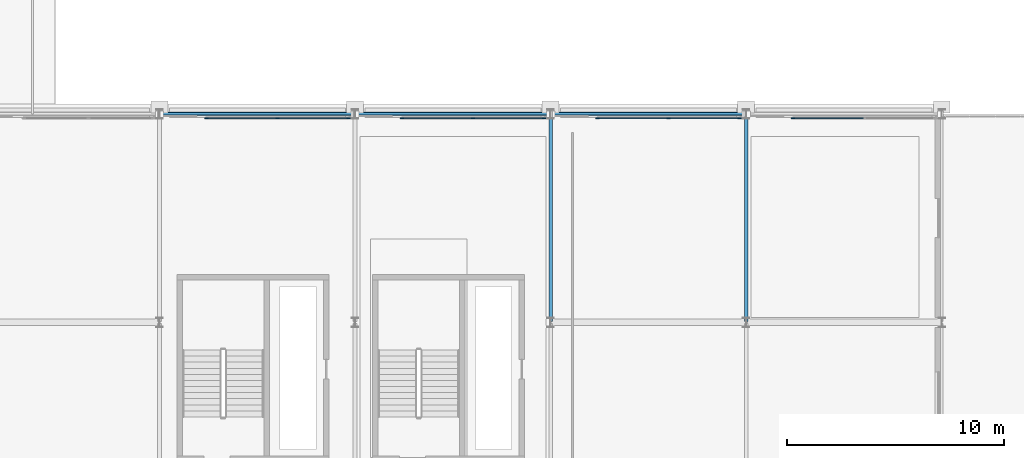
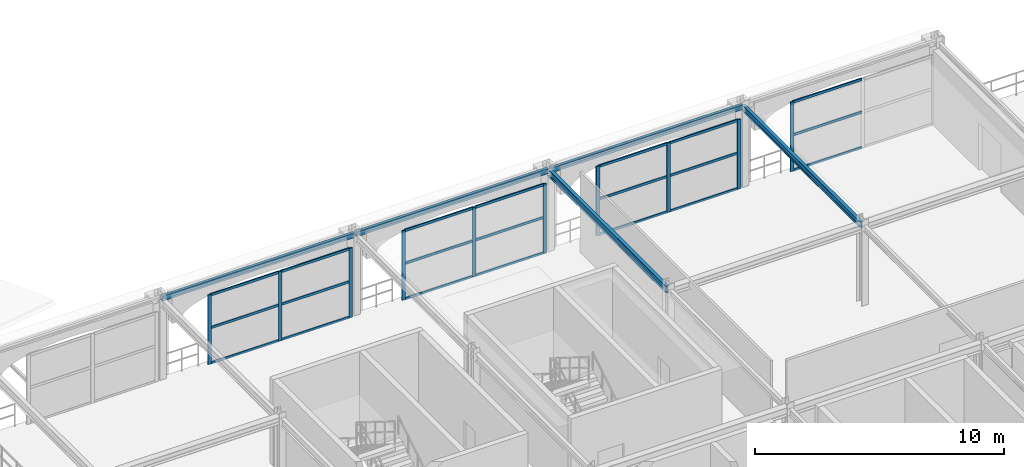
# One storey, part 28 of 81: 31 members, 5 beams, 4 elements without a shape of their own.
"""IFC4 building model written with IfcOpenShell, lengths in metres."""

from ifc_helpers import new_model, si_unit, direction, frame, origin, origin_2d, place, context, subcontext, project, spatial, rectangle, hollow_rectangle, i_section, extrude, material, layer, layer_set, material_profile, profile_set, type_object, element, aggregate, save


model = new_model("IFC4")

# Units and contexts
model_context = context("Model", 3, precision=1e-05, world=origin(), true_north=direction((0.0, 1.0)))
body_context = subcontext(model_context, "Body", "Model", "MODEL_VIEW")
ifc_project = project(units=[si_unit("LENGTHUNIT", "METRE"), si_unit("AREAUNIT", "SQUARE_METRE"), si_unit("VOLUMEUNIT", "CUBIC_METRE"), si_unit("PLANEANGLEUNIT", "RADIAN"), si_unit("MASSUNIT", "GRAM", prefix="KILO")], contexts=[model_context])

# Site, building, storey
site_placement = place(None, origin())
site = spatial("IfcSite", under=ifc_project, at=site_placement, CompositionType="ELEMENT")
building_placement = place(site_placement, origin())
building = spatial("IfcBuilding", under=site, at=building_placement, Name="Myrtia Square Station", CompositionType="ELEMENT")
storey_placement = place(building_placement, frame((0.0, 0.0, 10.800048828125)))
storey = spatial("IfcBuildingStorey", under=building, at=storey_placement, Name="L02", CompositionType="ELEMENT", Elevation=10.800048828125)

# Beams
ifc_material_1 = material(Name="Steel S355", Category="steel")
ifc_material_profile_1 = material_profile(ifc_material_1, i_section(OverallWidth=0.14990234375, OverallDepth=0.300048828125, WebThickness=0.007080078125, FlangeThickness=0.0107421875, FilletRadius=0.014892578125, at=origin_2d()), Name="IPE 300")
ifc_profile_set_1 = profile_set([ifc_material_profile_1], Name="Steel S355")
beam_type_1 = type_object("IfcBeamType", Name="BM-IPE300", PredefinedType="BEAM", material=ifc_profile_set_1)
beam_1_placement = place(storey_placement, frame((153.0, 28.85009765625, 3.784912109375), z_axis=(0.0, 1.0, 0.0), x_axis=(-1.0, 0.0, 0.0)))
element("IfcBeam", 1, at=beam_1_placement, inside=storey, type_object=beam_type_1, Name="Structural girder BMY-L02-0745", PredefinedType="BEAM", context=body_context, shape_type="SweptSolid", body=[
    extrude(i_section(OverallWidth=0.14990234375, OverallDepth=0.300048828125, WebThickness=0.007080078125, FlangeThickness=0.0107421875, FilletRadius=0.014892578125, at=origin_2d()), origin(), (0.0, 0.0, 1.0), 9.5),
])
ifc_material_profile_2 = material_profile(ifc_material_1, i_section(OverallWidth=0.159912109375, OverallDepth=0.330078125, WebThickness=0.007568359375, FlangeThickness=0.011474609375, FilletRadius=0.01806640625, at=origin_2d()), Name="IPE 330")
ifc_profile_set_2 = profile_set([ifc_material_profile_2], Name="Steel S355")
beam_type_2 = type_object("IfcBeamType", Name="BM-IPE330", PredefinedType="BEAM", material=ifc_profile_set_2)
beam_2_placement = place(storey_placement, frame((144.0, 28.85009765625, 3.77001953125), z_axis=(0.0, 1.0, 0.0), x_axis=(-1.0, 0.0, 0.0)))
element("IfcBeam", 2, at=beam_2_placement, inside=storey, type_object=beam_type_2, Name="Structural girder BMY-L02-0741", PredefinedType="BEAM", context=body_context, shape_type="SweptSolid", body=[
    extrude(i_section(OverallWidth=0.159912109375, OverallDepth=0.330078125, WebThickness=0.007568359375, FlangeThickness=0.011474609375, FilletRadius=0.01806640625, at=origin_2d()), origin(), (0.0, 0.0, 1.0), 9.5),
])

# Curtain wall, members
ifc_material_2 = material(Name="Dark bronze anodised aluminium", Category="aluminium")
ifc_layer = layer(ifc_material_2, 0.159912109375, Name="Dark bronze anodised aluminium")
ifc_layer_set = layer_set([ifc_layer], Name="Dark bronze anodised aluminium")
curtain_wall_type = type_object("IfcCurtainWallType", Name="CW-TYPE-28-660x340", PredefinedType="USERDEFINED", material=ifc_layer_set)
curtain_wall_1_placement = place(storey_placement, origin())
curtain_wall_1 = element("IfcCurtainWall", 3, at=curtain_wall_1_placement, inside=storey, type_object=curtain_wall_type, Name="Concourse curtain wall CW-L02-098", ObjectType="CONCOURSE CURTAIN WALL", PredefinedType="USERDEFINED")
ifc_material_profile_3 = material_profile(ifc_material_2, rectangle(XDim=0.06005859375, YDim=0.159912109375, at=origin_2d()), Name="ALU-M 60x160")
ifc_profile_set_3 = profile_set([ifc_material_profile_3], Name="Dark bronze anodised aluminium")
member_type_1 = type_object("IfcMemberType", Name="CWM-60x160", PredefinedType="MULLION", material=ifc_profile_set_3)
member_1_placement = place(storey_placement, frame((128.155029296875, 38.199951171875, 0.0), z_axis=(0.0, 0.0, 1.0), x_axis=(0.0, 1.0, 0.0)))
member_1 = element("IfcMember", 4, at=member_1_placement, type_object=member_type_1, Name="CW-098 mullion 1", PredefinedType="MULLION", context=body_context, shape_type="SweptSolid", body=[
    extrude(rectangle(XDim=0.06005859375, YDim=0.159912109375, at=origin_2d()), origin(), (0.0, 0.0, 1.0), 3.39990234375),
])
member_2_placement = place(storey_placement, frame((131.425048828125, 38.199951171875, 0.0), z_axis=(0.0, 0.0, 1.0), x_axis=(0.0, 1.0, 0.0)))
member_2 = element("IfcMember", 5, at=member_2_placement, type_object=member_type_1, Name="CW-098 mullion 2", PredefinedType="MULLION", context=body_context, shape_type="SweptSolid", body=[
    extrude(rectangle(XDim=0.06005859375, YDim=0.159912109375, at=origin_2d()), origin(), (0.0, 0.0, 1.0), 3.39990234375),
])
member_3_placement = place(storey_placement, frame((134.695068359375, 38.199951171875, 0.0), z_axis=(0.0, 0.0, 1.0), x_axis=(0.0, 1.0, 0.0)))
member_3 = element("IfcMember", 6, at=member_3_placement, type_object=member_type_1, Name="CW-098 mullion 3", PredefinedType="MULLION", context=body_context, shape_type="SweptSolid", body=[
    extrude(rectangle(XDim=0.06005859375, YDim=0.159912109375, at=origin_2d()), origin(), (0.0, 0.0, 1.0), 3.39990234375),
])

curtain_wall_2_placement = place(storey_placement, origin())
curtain_wall_2 = element("IfcCurtainWall", 7, at=curtain_wall_2_placement, inside=storey, type_object=curtain_wall_type, Name="Concourse curtain wall CW-L02-099", ObjectType="CONCOURSE CURTAIN WALL", PredefinedType="USERDEFINED")
member_4_placement = place(storey_placement, frame((137.155029296875, 38.199951171875, 0.0), z_axis=(0.0, 0.0, 1.0), x_axis=(0.0, 1.0, 0.0)))
member_4 = element("IfcMember", 8, at=member_4_placement, type_object=member_type_1, Name="CW-099 mullion 1", PredefinedType="MULLION", context=body_context, shape_type="SweptSolid", body=[
    extrude(rectangle(XDim=0.06005859375, YDim=0.159912109375, at=origin_2d()), origin(), (0.0, 0.0, 1.0), 3.39990234375),
])
member_5_placement = place(storey_placement, frame((140.425048828125, 38.199951171875, 0.0), z_axis=(0.0, 0.0, 1.0), x_axis=(0.0, 1.0, 0.0)))
member_5 = element("IfcMember", 9, at=member_5_placement, type_object=member_type_1, Name="CW-099 mullion 2", PredefinedType="MULLION", context=body_context, shape_type="SweptSolid", body=[
    extrude(rectangle(XDim=0.06005859375, YDim=0.159912109375, at=origin_2d()), origin(), (0.0, 0.0, 1.0), 3.39990234375),
])
member_6_placement = place(storey_placement, frame((143.695068359375, 38.199951171875, 0.0), z_axis=(0.0, 0.0, 1.0), x_axis=(0.0, 1.0, 0.0)))
member_6 = element("IfcMember", 10, at=member_6_placement, type_object=member_type_1, Name="CW-099 mullion 3", PredefinedType="MULLION", context=body_context, shape_type="SweptSolid", body=[
    extrude(rectangle(XDim=0.06005859375, YDim=0.159912109375, at=origin_2d()), origin(), (0.0, 0.0, 1.0), 3.39990234375),
])

curtain_wall_3_placement = place(storey_placement, origin())
curtain_wall_3 = element("IfcCurtainWall", 11, at=curtain_wall_3_placement, inside=storey, type_object=curtain_wall_type, Name="Concourse curtain wall CW-L02-100", ObjectType="CONCOURSE CURTAIN WALL", PredefinedType="USERDEFINED")
member_7_placement = place(storey_placement, frame((146.155029296875, 38.199951171875, 0.0), z_axis=(0.0, 0.0, 1.0), x_axis=(0.0, 1.0, 0.0)))
member_7 = element("IfcMember", 12, at=member_7_placement, type_object=member_type_1, Name="CW-100 mullion 1", PredefinedType="MULLION", context=body_context, shape_type="SweptSolid", body=[
    extrude(rectangle(XDim=0.06005859375, YDim=0.159912109375, at=origin_2d()), origin(), (0.0, 0.0, 1.0), 3.39990234375),
])
member_8_placement = place(storey_placement, frame((149.425048828125, 38.199951171875, 0.0), z_axis=(0.0, 0.0, 1.0), x_axis=(0.0, 1.0, 0.0)))
member_8 = element("IfcMember", 13, at=member_8_placement, type_object=member_type_1, Name="CW-100 mullion 2", PredefinedType="MULLION", context=body_context, shape_type="SweptSolid", body=[
    extrude(rectangle(XDim=0.06005859375, YDim=0.159912109375, at=origin_2d()), origin(), (0.0, 0.0, 1.0), 3.39990234375),
])
member_9_placement = place(storey_placement, frame((152.695068359375, 38.199951171875, 0.0), z_axis=(0.0, 0.0, 1.0), x_axis=(0.0, 1.0, 0.0)))
member_9 = element("IfcMember", 14, at=member_9_placement, type_object=member_type_1, Name="CW-100 mullion 3", PredefinedType="MULLION", context=body_context, shape_type="SweptSolid", body=[
    extrude(rectangle(XDim=0.06005859375, YDim=0.159912109375, at=origin_2d()), origin(), (0.0, 0.0, 1.0), 3.39990234375),
])

# Curtain wall, member
curtain_wall_4_placement = place(storey_placement, origin())
curtain_wall_4 = element("IfcCurtainWall", 15, at=curtain_wall_4_placement, inside=storey, type_object=curtain_wall_type, Name="Concourse curtain wall CW-L02-101", ObjectType="CONCOURSE CURTAIN WALL", PredefinedType="USERDEFINED")
member_10_placement = place(storey_placement, frame((155.155029296875, 38.199951171875, 0.0), z_axis=(0.0, 0.0, 1.0), x_axis=(0.0, 1.0, 0.0)))
member_10 = element("IfcMember", 16, at=member_10_placement, type_object=member_type_1, Name="CW-101 mullion 1", PredefinedType="MULLION", context=body_context, shape_type="SweptSolid", body=[
    extrude(rectangle(XDim=0.06005859375, YDim=0.159912109375, at=origin_2d()), origin(), (0.0, 0.0, 1.0), 3.39990234375),
])

# Member
ifc_material_profile_4 = material_profile(ifc_material_2, rectangle(XDim=0.06005859375, YDim=0.1201171875, at=origin_2d()), Name="ALU-T 60x120")
ifc_profile_set_4 = profile_set([ifc_material_profile_4], Name="Dark bronze anodised aluminium")
member_type_2 = type_object("IfcMemberType", Name="CWT-60x120", PredefinedType="USERDEFINED", material=ifc_profile_set_4)
member_11_placement = place(storey_placement, frame((128.18505859375, 38.199951171875, 0.030029296875), z_axis=(1.0, 0.0, 0.0), x_axis=(0.0, 1.0, 0.0)))
member_11 = element("IfcMember", 17, at=member_11_placement, type_object=member_type_2, Name="CW-098 transom 1.1", ObjectType="TRANSOM", PredefinedType="USERDEFINED", context=body_context, shape_type="SweptSolid", body=[
    extrude(rectangle(XDim=0.06005859375, YDim=0.1201171875, at=origin_2d()), origin(), (0.0, 0.0, 1.0), 3.2099609375),
])

member_12_placement = place(storey_placement, frame((128.18505859375, 38.199951171875, 1.76806640625), z_axis=(1.0, 0.0, 0.0), x_axis=(0.0, 1.0, 0.0)))
member_12 = element("IfcMember", 18, at=member_12_placement, type_object=member_type_2, Name="CW-098 transom 1.2", ObjectType="TRANSOM", PredefinedType="USERDEFINED", context=body_context, shape_type="SweptSolid", body=[
    extrude(rectangle(XDim=0.06005859375, YDim=0.1201171875, at=origin_2d()), origin(), (0.0, 0.0, 1.0), 3.2099609375),
])

member_13_placement = place(storey_placement, frame((128.18505859375, 38.199951171875, 3.369873046875), z_axis=(1.0, 0.0, 0.0), x_axis=(0.0, 1.0, 0.0)))
member_13 = element("IfcMember", 19, at=member_13_placement, type_object=member_type_2, Name="CW-098 transom 1.3", ObjectType="TRANSOM", PredefinedType="USERDEFINED", context=body_context, shape_type="SweptSolid", body=[
    extrude(rectangle(XDim=0.06005859375, YDim=0.1201171875, at=origin_2d()), origin(), (0.0, 0.0, 1.0), 3.2099609375),
])

member_14_placement = place(storey_placement, frame((131.455078125, 38.199951171875, 0.030029296875), z_axis=(1.0, 0.0, 0.0), x_axis=(0.0, 1.0, 0.0)))
member_14 = element("IfcMember", 20, at=member_14_placement, type_object=member_type_2, Name="CW-098 transom 2.1", ObjectType="TRANSOM", PredefinedType="USERDEFINED", context=body_context, shape_type="SweptSolid", body=[
    extrude(rectangle(XDim=0.06005859375, YDim=0.1201171875, at=origin_2d()), origin(), (0.0, 0.0, 1.0), 3.2099609375),
])

member_15_placement = place(storey_placement, frame((131.455078125, 38.199951171875, 1.76806640625), z_axis=(1.0, 0.0, 0.0), x_axis=(0.0, 1.0, 0.0)))
member_15 = element("IfcMember", 21, at=member_15_placement, type_object=member_type_2, Name="CW-098 transom 2.2", ObjectType="TRANSOM", PredefinedType="USERDEFINED", context=body_context, shape_type="SweptSolid", body=[
    extrude(rectangle(XDim=0.06005859375, YDim=0.1201171875, at=origin_2d()), origin(), (0.0, 0.0, 1.0), 3.2099609375),
])

member_16_placement = place(storey_placement, frame((131.455078125, 38.199951171875, 3.369873046875), z_axis=(1.0, 0.0, 0.0), x_axis=(0.0, 1.0, 0.0)))
member_16 = element("IfcMember", 22, at=member_16_placement, type_object=member_type_2, Name="CW-098 transom 2.3", ObjectType="TRANSOM", PredefinedType="USERDEFINED", context=body_context, shape_type="SweptSolid", body=[
    extrude(rectangle(XDim=0.06005859375, YDim=0.1201171875, at=origin_2d()), origin(), (0.0, 0.0, 1.0), 3.2099609375),
])

aggregate(curtain_wall_1, [member_1, member_2, member_3, member_11, member_12, member_13, member_14, member_15, member_16])

member_17_placement = place(storey_placement, frame((137.18505859375, 38.199951171875, 0.030029296875), z_axis=(1.0, 0.0, 0.0), x_axis=(0.0, 1.0, 0.0)))
member_17 = element("IfcMember", 23, at=member_17_placement, type_object=member_type_2, Name="CW-099 transom 1.1", ObjectType="TRANSOM", PredefinedType="USERDEFINED", context=body_context, shape_type="SweptSolid", body=[
    extrude(rectangle(XDim=0.06005859375, YDim=0.1201171875, at=origin_2d()), origin(), (0.0, 0.0, 1.0), 3.2099609375),
])

member_18_placement = place(storey_placement, frame((137.18505859375, 38.199951171875, 1.76806640625), z_axis=(1.0, 0.0, 0.0), x_axis=(0.0, 1.0, 0.0)))
member_18 = element("IfcMember", 24, at=member_18_placement, type_object=member_type_2, Name="CW-099 transom 1.2", ObjectType="TRANSOM", PredefinedType="USERDEFINED", context=body_context, shape_type="SweptSolid", body=[
    extrude(rectangle(XDim=0.06005859375, YDim=0.1201171875, at=origin_2d()), origin(), (0.0, 0.0, 1.0), 3.2099609375),
])

member_19_placement = place(storey_placement, frame((137.18505859375, 38.199951171875, 3.369873046875), z_axis=(1.0, 0.0, 0.0), x_axis=(0.0, 1.0, 0.0)))
member_19 = element("IfcMember", 25, at=member_19_placement, type_object=member_type_2, Name="CW-099 transom 1.3", ObjectType="TRANSOM", PredefinedType="USERDEFINED", context=body_context, shape_type="SweptSolid", body=[
    extrude(rectangle(XDim=0.06005859375, YDim=0.1201171875, at=origin_2d()), origin(), (0.0, 0.0, 1.0), 3.2099609375),
])

member_20_placement = place(storey_placement, frame((140.455078125, 38.199951171875, 0.030029296875), z_axis=(1.0, 0.0, 0.0), x_axis=(0.0, 1.0, 0.0)))
member_20 = element("IfcMember", 26, at=member_20_placement, type_object=member_type_2, Name="CW-099 transom 2.1", ObjectType="TRANSOM", PredefinedType="USERDEFINED", context=body_context, shape_type="SweptSolid", body=[
    extrude(rectangle(XDim=0.06005859375, YDim=0.1201171875, at=origin_2d()), origin(), (0.0, 0.0, 1.0), 3.2099609375),
])

member_21_placement = place(storey_placement, frame((140.455078125, 38.199951171875, 1.76806640625), z_axis=(1.0, 0.0, 0.0), x_axis=(0.0, 1.0, 0.0)))
member_21 = element("IfcMember", 27, at=member_21_placement, type_object=member_type_2, Name="CW-099 transom 2.2", ObjectType="TRANSOM", PredefinedType="USERDEFINED", context=body_context, shape_type="SweptSolid", body=[
    extrude(rectangle(XDim=0.06005859375, YDim=0.1201171875, at=origin_2d()), origin(), (0.0, 0.0, 1.0), 3.2099609375),
])

member_22_placement = place(storey_placement, frame((140.455078125, 38.199951171875, 3.369873046875), z_axis=(1.0, 0.0, 0.0), x_axis=(0.0, 1.0, 0.0)))
member_22 = element("IfcMember", 28, at=member_22_placement, type_object=member_type_2, Name="CW-099 transom 2.3", ObjectType="TRANSOM", PredefinedType="USERDEFINED", context=body_context, shape_type="SweptSolid", body=[
    extrude(rectangle(XDim=0.06005859375, YDim=0.1201171875, at=origin_2d()), origin(), (0.0, 0.0, 1.0), 3.2099609375),
])

aggregate(curtain_wall_2, [member_4, member_5, member_6, member_17, member_18, member_19, member_20, member_21, member_22])

member_23_placement = place(storey_placement, frame((146.18505859375, 38.199951171875, 0.030029296875), z_axis=(1.0, 0.0, 0.0), x_axis=(0.0, 1.0, 0.0)))
member_23 = element("IfcMember", 29, at=member_23_placement, type_object=member_type_2, Name="CW-100 transom 1.1", ObjectType="TRANSOM", PredefinedType="USERDEFINED", context=body_context, shape_type="SweptSolid", body=[
    extrude(rectangle(XDim=0.06005859375, YDim=0.1201171875, at=origin_2d()), origin(), (0.0, 0.0, 1.0), 3.2099609375),
])

member_24_placement = place(storey_placement, frame((146.18505859375, 38.199951171875, 1.76806640625), z_axis=(1.0, 0.0, 0.0), x_axis=(0.0, 1.0, 0.0)))
member_24 = element("IfcMember", 30, at=member_24_placement, type_object=member_type_2, Name="CW-100 transom 1.2", ObjectType="TRANSOM", PredefinedType="USERDEFINED", context=body_context, shape_type="SweptSolid", body=[
    extrude(rectangle(XDim=0.06005859375, YDim=0.1201171875, at=origin_2d()), origin(), (0.0, 0.0, 1.0), 3.2099609375),
])

member_25_placement = place(storey_placement, frame((146.18505859375, 38.199951171875, 3.369873046875), z_axis=(1.0, 0.0, 0.0), x_axis=(0.0, 1.0, 0.0)))
member_25 = element("IfcMember", 31, at=member_25_placement, type_object=member_type_2, Name="CW-100 transom 1.3", ObjectType="TRANSOM", PredefinedType="USERDEFINED", context=body_context, shape_type="SweptSolid", body=[
    extrude(rectangle(XDim=0.06005859375, YDim=0.1201171875, at=origin_2d()), origin(), (0.0, 0.0, 1.0), 3.2099609375),
])

member_26_placement = place(storey_placement, frame((149.455078125, 38.199951171875, 0.030029296875), z_axis=(1.0, 0.0, 0.0), x_axis=(0.0, 1.0, 0.0)))
member_26 = element("IfcMember", 32, at=member_26_placement, type_object=member_type_2, Name="CW-100 transom 2.1", ObjectType="TRANSOM", PredefinedType="USERDEFINED", context=body_context, shape_type="SweptSolid", body=[
    extrude(rectangle(XDim=0.06005859375, YDim=0.1201171875, at=origin_2d()), origin(), (0.0, 0.0, 1.0), 3.2099609375),
])

member_27_placement = place(storey_placement, frame((149.455078125, 38.199951171875, 1.76806640625), z_axis=(1.0, 0.0, 0.0), x_axis=(0.0, 1.0, 0.0)))
member_27 = element("IfcMember", 33, at=member_27_placement, type_object=member_type_2, Name="CW-100 transom 2.2", ObjectType="TRANSOM", PredefinedType="USERDEFINED", context=body_context, shape_type="SweptSolid", body=[
    extrude(rectangle(XDim=0.06005859375, YDim=0.1201171875, at=origin_2d()), origin(), (0.0, 0.0, 1.0), 3.2099609375),
])

member_28_placement = place(storey_placement, frame((149.455078125, 38.199951171875, 3.369873046875), z_axis=(1.0, 0.0, 0.0), x_axis=(0.0, 1.0, 0.0)))
member_28 = element("IfcMember", 34, at=member_28_placement, type_object=member_type_2, Name="CW-100 transom 2.3", ObjectType="TRANSOM", PredefinedType="USERDEFINED", context=body_context, shape_type="SweptSolid", body=[
    extrude(rectangle(XDim=0.06005859375, YDim=0.1201171875, at=origin_2d()), origin(), (0.0, 0.0, 1.0), 3.2099609375),
])

aggregate(curtain_wall_3, [member_7, member_8, member_9, member_23, member_24, member_25, member_26, member_27, member_28])

member_29_placement = place(storey_placement, frame((155.18505859375, 38.199951171875, 0.030029296875), z_axis=(1.0, 0.0, 0.0), x_axis=(0.0, 1.0, 0.0)))
member_29 = element("IfcMember", 35, at=member_29_placement, type_object=member_type_2, Name="CW-101 transom 1.1", ObjectType="TRANSOM", PredefinedType="USERDEFINED", context=body_context, shape_type="SweptSolid", body=[
    extrude(rectangle(XDim=0.06005859375, YDim=0.1201171875, at=origin_2d()), origin(), (0.0, 0.0, 1.0), 3.2099609375),
])

member_30_placement = place(storey_placement, frame((155.18505859375, 38.199951171875, 1.76806640625), z_axis=(1.0, 0.0, 0.0), x_axis=(0.0, 1.0, 0.0)))
member_30 = element("IfcMember", 36, at=member_30_placement, type_object=member_type_2, Name="CW-101 transom 1.2", ObjectType="TRANSOM", PredefinedType="USERDEFINED", context=body_context, shape_type="SweptSolid", body=[
    extrude(rectangle(XDim=0.06005859375, YDim=0.1201171875, at=origin_2d()), origin(), (0.0, 0.0, 1.0), 3.2099609375),
])

member_31_placement = place(storey_placement, frame((155.18505859375, 38.199951171875, 3.369873046875), z_axis=(1.0, 0.0, 0.0), x_axis=(0.0, 1.0, 0.0)))
member_31 = element("IfcMember", 37, at=member_31_placement, type_object=member_type_2, Name="CW-101 transom 1.3", ObjectType="TRANSOM", PredefinedType="USERDEFINED", context=body_context, shape_type="SweptSolid", body=[
    extrude(rectangle(XDim=0.06005859375, YDim=0.1201171875, at=origin_2d()), origin(), (0.0, 0.0, 1.0), 3.2099609375),
])

aggregate(curtain_wall_4, [member_10, member_29, member_30, member_31])

# Beams
ifc_material_profile_5 = material_profile(ifc_material_1, hollow_rectangle(XDim=0.14990234375, YDim=0.25, WallThickness=0.012451171875, InnerFilletRadius=0.012451171875, OuterFilletRadius=0.02490234375, at=origin_2d()), Name="RHS 250x150x12.5")
ifc_profile_set_5 = profile_set([ifc_material_profile_5], Name="Steel S355")
beam_type_3 = type_object("IfcBeamType", Name="SPN-RHS250", PredefinedType="SPANDREL", material=ifc_profile_set_5)
for number, where, z_axis, x_axis, name in (
    (38, (126.050048828125, 38.39990234375, 3.8349609375), (1.0, 0.0, 0.0), (0.0, 1.0, 0.0), "Structural girder SPN-L02-0202"),
    (39, (135.050048828125, 38.39990234375, 3.8349609375), (1.0, 0.0, 0.0), (0.0, 1.0, 0.0), "Structural girder SPN-L02-0203"),
    (40, (144.050048828125, 38.39990234375, 3.81005859375), (1.0, 0.0, 0.0), (0.0, 1.0, 0.0), "Structural girder SPN-L02-0204"),
):
    element("IfcBeam", number, at=place(storey_placement, frame(where, z_axis=z_axis, x_axis=x_axis)), inside=storey, type_object=beam_type_3, Name=name, PredefinedType="SPANDREL", context=body_context, shape_type="SweptSolid", body=[
        extrude(hollow_rectangle(XDim=0.14990234375, YDim=0.25, WallThickness=0.012451171875, InnerFilletRadius=0.012451171875, OuterFilletRadius=0.02490234375, at=origin_2d()), origin(), (0.0, 0.0, 1.0), 8.89990234375),
    ])

save(model, "model.ifc")
